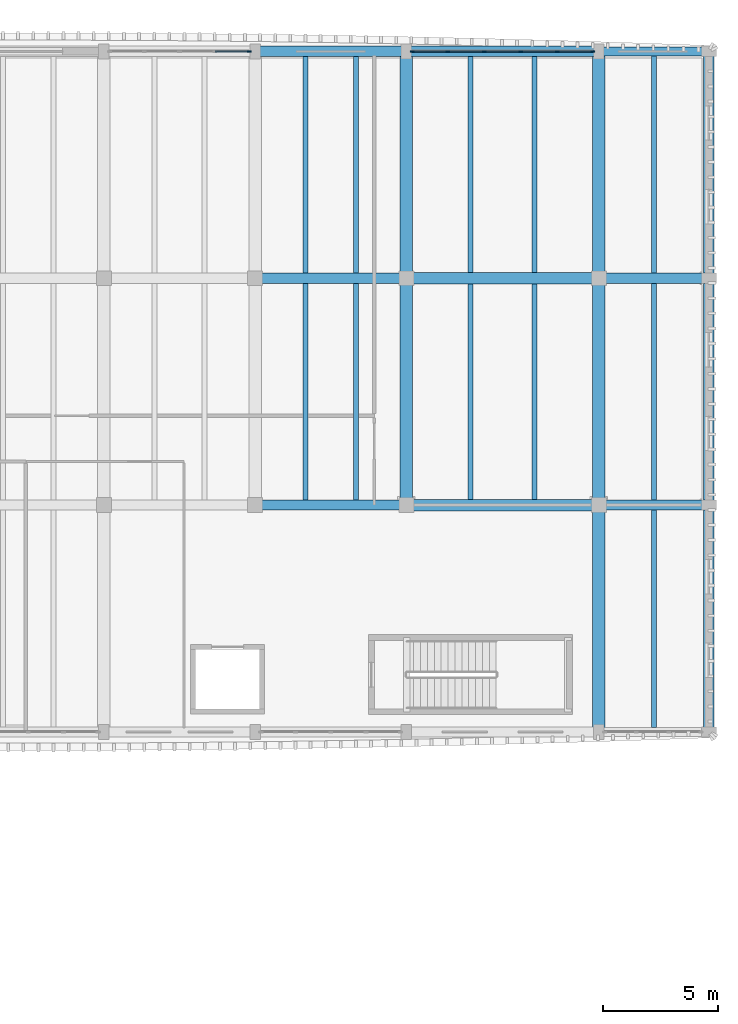
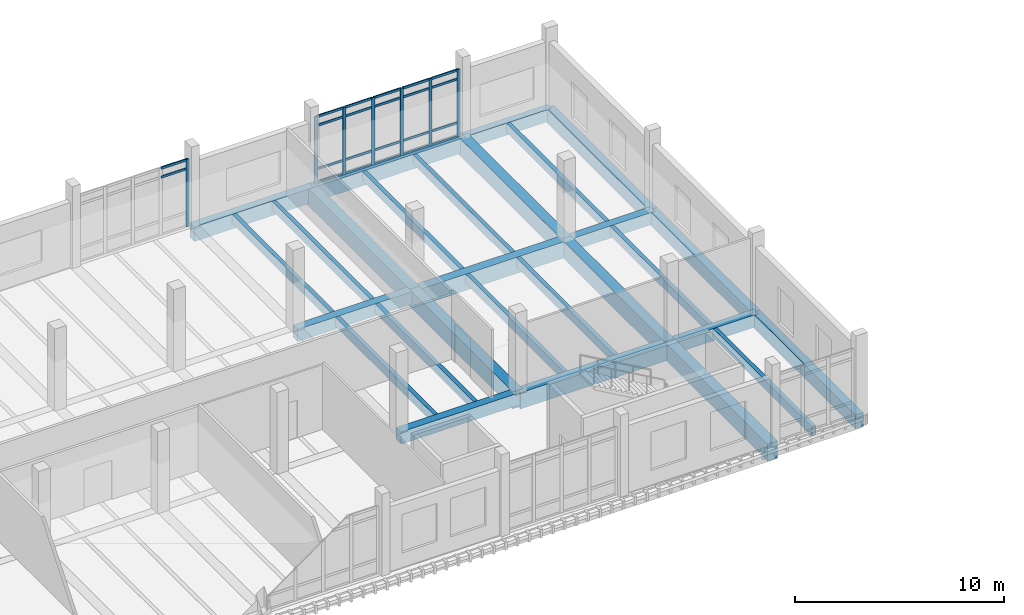
# One storey, part 17 of 50: 29 members, 28 beams, 2 elements without a shape of their own.
"""IFC4 building model written with IfcOpenShell, lengths in metres."""

from ifc_helpers import new_model, si_unit, direction, frame, origin, origin_2d, place, context, subcontext, project, spatial, rectangle, extrude, material, material_profile, profile_set, type_object, element, aggregate, save


model = new_model("IFC4")

# Units and contexts
model_context = context("Model", 3, precision=1e-05, world=origin(), true_north=direction((0.0, 1.0)))
body_context = subcontext(model_context, "Body", "Model", "MODEL_VIEW")
ifc_project = project(units=[si_unit("LENGTHUNIT", "METRE"), si_unit("AREAUNIT", "SQUARE_METRE"), si_unit("VOLUMEUNIT", "CUBIC_METRE"), si_unit("PLANEANGLEUNIT", "RADIAN"), si_unit("MASSUNIT", "GRAM", prefix="KILO")], contexts=[model_context])

# Site, building, storey
site_placement = place(None, origin())
site = spatial("IfcSite", under=ifc_project, at=site_placement, CompositionType="ELEMENT")
building_placement = place(site_placement, origin())
building = spatial("IfcBuilding", under=site, at=building_placement, Name="Dornvale Research Institute", CompositionType="ELEMENT")
storey_placement = place(building_placement, frame((0.0, 0.0, 19.800048828125)))
storey = spatial("IfcBuildingStorey", under=building, at=storey_placement, Name="L04", CompositionType="ELEMENT", Elevation=19.800048828125)

# Beams
ifc_material_1 = material(Name="Concrete f'c 45 MPa (C35/45)", Category="concrete")
ifc_material_profile_1 = material_profile(ifc_material_1, rectangle(XDim=0.449951171875, YDim=0.715087890625, at=origin_2d()), Name="RC 450x715")
ifc_profile_set_1 = profile_set([ifc_material_profile_1], Name="Concrete f'c 45 MPa (C35/45)")
beam_type_1 = type_object("IfcBeamType", Name="Beam_RC450x715_Lab", PredefinedType="BEAM", material=ifc_profile_set_1)
beam_1_placement = place(storey_placement, frame((158.39990234375, 102.300048828125, -0.357666015625), z_axis=(1.0, 0.0, 0.0), x_axis=(0.0, 1.0, 0.0)))
element("IfcBeam", 1, at=beam_1_placement, inside=storey, type_object=beam_type_1, Name="L04 primary girder #1187", PredefinedType="BEAM", context=body_context, shape_type="SweptSolid", body=[
    extrude(rectangle(XDim=0.449951171875, YDim=0.715087890625, at=origin_2d()), origin(), (0.0, 0.0, 1.0), 6.60009765625),
])
beam_2_placement = place(storey_placement, frame((173.39990234375, 102.300048828125, -0.357666015625), z_axis=(1.0, 0.0, 0.0), x_axis=(0.0, 1.0, 0.0)))
element("IfcBeam", 2, at=beam_2_placement, inside=storey, type_object=beam_type_1, Name="L04 primary girder #1189", PredefinedType="BEAM", context=body_context, shape_type="SweptSolid", body=[
    extrude(rectangle(XDim=0.449951171875, YDim=0.715087890625, at=origin_2d()), origin(), (0.0, 0.0, 1.0), 4.800048828125),
])
beam_3_placement = place(storey_placement, frame((158.39990234375, 112.199951171875, -0.357666015625), z_axis=(1.0, 0.0, 0.0), x_axis=(0.0, 1.0, 0.0)))
element("IfcBeam", 3, at=beam_3_placement, inside=storey, type_object=beam_type_1, Name="L04 primary girder #1196", PredefinedType="BEAM", context=body_context, shape_type="SweptSolid", body=[
    extrude(rectangle(XDim=0.449951171875, YDim=0.715087890625, at=origin_2d()), origin(), (0.0, 0.0, 1.0), 6.60009765625),
])
beam_4_placement = place(storey_placement, frame((173.39990234375, 112.199951171875, -0.357666015625), z_axis=(1.0, 0.0, 0.0), x_axis=(0.0, 1.0, 0.0)))
element("IfcBeam", 4, at=beam_4_placement, inside=storey, type_object=beam_type_1, Name="L04 primary girder #1198", PredefinedType="BEAM", context=body_context, shape_type="SweptSolid", body=[
    extrude(rectangle(XDim=0.449951171875, YDim=0.715087890625, at=origin_2d()), origin(), (0.0, 0.0, 1.0), 4.800048828125),
])
ifc_material_2 = material(Name="Concrete f'c 45 MPa (C35/45)", Category="concrete")
ifc_material_profile_2 = material_profile(ifc_material_2, rectangle(XDim=0.5, YDim=0.949951171875, at=origin_2d()), Name="RC 500x950")
ifc_profile_set_2 = profile_set([ifc_material_profile_2], Name="Concrete f'c 45 MPa (C35/45)")
beam_type_2 = type_object("IfcBeamType", Name="Beam_RC500x950_Girder", PredefinedType="BEAM", material=ifc_profile_set_2)
for number, where, z_axis, x_axis, name in (
    (5, (165.0, 102.300048828125, -0.47509765625), (1.0, 0.0, 0.0), (0.0, 1.0, 0.0), "L04 primary girder #1188"),
    (6, (165.0, 112.199951171875, -0.47509765625), (1.0, 0.0, 0.0), (0.0, 1.0, 0.0), "L04 primary girder #1197"),
):
    element("IfcBeam", number, at=place(storey_placement, frame(where, z_axis=z_axis, x_axis=x_axis)), inside=storey, type_object=beam_type_2, Name=name, PredefinedType="BEAM", context=body_context, shape_type="SweptSolid", body=[
        extrude(rectangle(XDim=0.5, YDim=0.949951171875, at=origin_2d()), origin(), (0.0, 0.0, 1.0), 8.39990234375),
    ])
ifc_material_3 = material(Name="Concrete f'c 45 MPa (C35/45)", Category="concrete")
ifc_material_profile_3 = material_profile(ifc_material_3, rectangle(XDim=0.550048828125, YDim=1.0, at=origin_2d()), Name="RC 550x1000")
ifc_profile_set_3 = profile_set([ifc_material_profile_3], Name="Concrete f'c 45 MPa (C35/45)")
beam_type_3 = type_object("IfcBeamType", Name="Beam_RC550x1000_Girder", PredefinedType="BEAM", material=ifc_profile_set_3)
beam_5_placement = place(storey_placement, frame((165.0, 102.300048828125, -0.5), z_axis=(0.0, 1.0, 0.0), x_axis=(-1.0, 0.0, 0.0)))
element("IfcBeam", 7, at=beam_5_placement, inside=storey, type_object=beam_type_3, Name="L04 transverse girder #1227", PredefinedType="BEAM", context=body_context, shape_type="SweptSolid", body=[
    extrude(rectangle(XDim=0.550048828125, YDim=1.0, at=origin_2d()), origin(), (0.0, 0.0, 1.0), 9.89990234375),
])
for number, where, z_axis, x_axis, name in (
    (8, (165.0, 112.199951171875, -0.5), (0.0, 1.0, 0.0), (-1.0, 0.0, 0.0), "L04 transverse girder #1228"),
    (9, (173.39990234375, 92.39990234375, -0.5), (0.0, 1.0, 0.0), (-1.0, 0.0, 0.0), "L04 transverse girder #1229"),
):
    element("IfcBeam", number, at=place(storey_placement, frame(where, z_axis=z_axis, x_axis=x_axis)), inside=storey, type_object=beam_type_3, Name=name, PredefinedType="BEAM", context=body_context, shape_type="SweptSolid", body=[
        extrude(rectangle(XDim=0.550048828125, YDim=1.0, at=origin_2d()), origin(), (0.0, 0.0, 1.0), 9.900146484375),
    ])
beam_6_placement = place(storey_placement, frame((173.39990234375, 102.300048828125, -0.5), z_axis=(0.0, 1.0, 0.0), x_axis=(-1.0, 0.0, 0.0)))
element("IfcBeam", 10, at=beam_6_placement, inside=storey, type_object=beam_type_3, Name="L04 transverse girder #1230", PredefinedType="BEAM", context=body_context, shape_type="SweptSolid", body=[
    extrude(rectangle(XDim=0.550048828125, YDim=1.0, at=origin_2d()), origin(), (0.0, 0.0, 1.0), 9.89990234375),
])
beam_7_placement = place(storey_placement, frame((173.39990234375, 112.199951171875, -0.5), z_axis=(0.0, 1.0, 0.0), x_axis=(-1.0, 0.0, 0.0)))
element("IfcBeam", 11, at=beam_7_placement, inside=storey, type_object=beam_type_3, Name="L04 transverse girder #1231", PredefinedType="BEAM", context=body_context, shape_type="SweptSolid", body=[
    extrude(rectangle(XDim=0.550048828125, YDim=1.0, at=origin_2d()), origin(), (0.0, 0.0, 1.0), 9.900146484375),
])
ifc_material_4 = material(Name="Concrete f'c 45 MPa (C35/45)", Category="concrete")
ifc_material_profile_4 = material_profile(ifc_material_4, rectangle(XDim=0.219970703125, YDim=0.534912109375, at=origin_2d()), Name="RC 220x535")
ifc_profile_set_4 = profile_set([ifc_material_profile_4], Name="Concrete f'c 45 MPa (C35/45)")
beam_type_4 = type_object("IfcBeamType", Name="Joist_RC220x535_Waffle", PredefinedType="JOIST", material=ifc_profile_set_4)
for number, where, z_axis, x_axis, name in (
    (12, (160.60009765625, 102.52490234375, -0.267578125), (0.0, 1.0, 0.0), (-1.0, 0.0, 0.0), "L04 laboratory waffle joist #614"),
    (13, (162.800048828125, 102.52490234375, -0.267578125), (0.0, 1.0, 0.0), (-1.0, 0.0, 0.0), "L04 laboratory waffle joist #615"),
):
    element("IfcBeam", number, at=place(storey_placement, frame(where, z_axis=z_axis, x_axis=x_axis)), inside=storey, type_object=beam_type_4, Name=name, PredefinedType="JOIST", context=body_context, shape_type="SweptSolid", body=[
        extrude(rectangle(XDim=0.219970703125, YDim=0.534912109375, at=origin_2d()), origin(), (0.0, 0.0, 1.0), 9.4501953125),
    ])
for number, where, z_axis, x_axis, name in (
    (14, (160.60009765625, 112.425048828125, -0.267578125), (0.0, 1.0, 0.0), (-1.0, 0.0, 0.0), "L04 laboratory waffle joist #616"),
    (15, (162.800048828125, 112.425048828125, -0.267578125), (0.0, 1.0, 0.0), (-1.0, 0.0, 0.0), "L04 laboratory waffle joist #617"),
):
    element("IfcBeam", number, at=place(storey_placement, frame(where, z_axis=z_axis, x_axis=x_axis)), inside=storey, type_object=beam_type_4, Name=name, PredefinedType="JOIST", context=body_context, shape_type="SweptSolid", body=[
        extrude(rectangle(XDim=0.219970703125, YDim=0.534912109375, at=origin_2d()), origin(), (0.0, 0.0, 1.0), 9.449951171875),
    ])
for number, where, z_axis, x_axis, name in (
    (16, (167.800048828125, 102.550048828125, -0.267578125), (0.0, 1.0, 0.0), (-1.0, 0.0, 0.0), "L04 laboratory waffle joist #618"),
    (17, (170.60009765625, 102.550048828125, -0.267578125), (0.0, 1.0, 0.0), (-1.0, 0.0, 0.0), "L04 laboratory waffle joist #619"),
):
    element("IfcBeam", number, at=place(storey_placement, frame(where, z_axis=z_axis, x_axis=x_axis)), inside=storey, type_object=beam_type_4, Name=name, PredefinedType="JOIST", context=body_context, shape_type="SweptSolid", body=[
        extrude(rectangle(XDim=0.219970703125, YDim=0.534912109375, at=origin_2d()), origin(), (0.0, 0.0, 1.0), 9.39990234375),
    ])
for number, where, z_axis, x_axis, name in (
    (18, (167.800048828125, 112.449951171875, -0.267578125), (0.0, 1.0, 0.0), (-1.0, 0.0, 0.0), "L04 laboratory waffle joist #620"),
    (19, (170.60009765625, 112.449951171875, -0.267578125), (0.0, 1.0, 0.0), (-1.0, 0.0, 0.0), "L04 laboratory waffle joist #621"),
):
    element("IfcBeam", number, at=place(storey_placement, frame(where, z_axis=z_axis, x_axis=x_axis)), inside=storey, type_object=beam_type_4, Name=name, PredefinedType="JOIST", context=body_context, shape_type="SweptSolid", body=[
        extrude(rectangle(XDim=0.219970703125, YDim=0.534912109375, at=origin_2d()), origin(), (0.0, 0.0, 1.0), 9.425048828125),
    ])
beam_8_placement = place(storey_placement, frame((175.800048828125, 92.60009765625, -0.267578125), z_axis=(0.0, 1.0, 0.0), x_axis=(-1.0, 0.0, 0.0)))
element("IfcBeam", 20, at=beam_8_placement, inside=storey, type_object=beam_type_4, Name="L04 laboratory waffle joist #622", PredefinedType="JOIST", context=body_context, shape_type="SweptSolid", body=[
    extrude(rectangle(XDim=0.219970703125, YDim=0.534912109375, at=origin_2d()), origin(), (0.0, 0.0, 1.0), 9.474853515625),
])
beam_9_placement = place(storey_placement, frame((175.800048828125, 102.52490234375, -0.267578125), z_axis=(0.0, 1.0, 0.0), x_axis=(-1.0, 0.0, 0.0)))
element("IfcBeam", 21, at=beam_9_placement, inside=storey, type_object=beam_type_4, Name="L04 laboratory waffle joist #623", PredefinedType="JOIST", context=body_context, shape_type="SweptSolid", body=[
    extrude(rectangle(XDim=0.219970703125, YDim=0.534912109375, at=origin_2d()), origin(), (0.0, 0.0, 1.0), 9.4501953125),
])
beam_10_placement = place(storey_placement, frame((175.800048828125, 112.425048828125, -0.267578125), z_axis=(0.0, 1.0, 0.0), x_axis=(-1.0, 0.0, 0.0)))
element("IfcBeam", 22, at=beam_10_placement, inside=storey, type_object=beam_type_4, Name="L04 laboratory waffle joist #624", PredefinedType="JOIST", context=body_context, shape_type="SweptSolid", body=[
    extrude(rectangle(XDim=0.219970703125, YDim=0.534912109375, at=origin_2d()), origin(), (0.0, 0.0, 1.0), 9.474853515625),
])

# Curtain wall, member
ifc_material_5 = material(Name="Low-E Argon Double Insulating Glazing Unit", Category="glass")
curtain_wall_type_1 = type_object("IfcCurtainWallType", Name="UnitisedCurtainWall_V4_6150x3950", PredefinedType="USERDEFINED", material=ifc_material_5)
curtain_wall_1_placement = place(storey_placement, origin())
curtain_wall_1 = element("IfcCurtainWall", 23, at=curtain_wall_1_placement, inside=storey, type_object=curtain_wall_type_1, Name="L04 V4 unitised curtain wall CW-15 #102", ObjectType="UNITISED CURTAIN WALL", PredefinedType="USERDEFINED")
ifc_material_6 = material(Name="Anodized Aluminum AA 6063-T6 Thermally Broken Frame", Category="aluminium")
ifc_material_profile_5 = material_profile(ifc_material_6, rectangle(XDim=0.06494140625, YDim=0.179931640625, at=origin_2d()), Name="ALU MULLION 65x180")
ifc_profile_set_5 = profile_set([ifc_material_profile_5], Name="Anodized Aluminum AA 6063-T6 Thermally Broken Frame")
member_type_1 = type_object("IfcMemberType", Name="Mullion_CW_65x180", PredefinedType="MULLION", material=ifc_profile_set_5)
member_1_placement = place(storey_placement, frame((158.142578125, 122.10009765625, 0.0), z_axis=(0.0, 0.0, 1.0), x_axis=(0.0, 1.0, 0.0)))
member_1 = element("IfcMember", 24, at=member_1_placement, type_object=member_type_1, Name="CW-15 mullion 5", PredefinedType="MULLION", context=body_context, shape_type="SweptSolid", body=[
    extrude(rectangle(XDim=0.06494140625, YDim=0.179931640625, at=origin_2d()), origin(), (0.0, 0.0, 1.0), 3.949951171875),
])

# Curtain wall, members
ifc_material_7 = material(Name="Low-E Argon Double Insulating Glazing Unit", Category="glass")
curtain_wall_type_2 = type_object("IfcCurtainWallType", Name="UnitisedCurtainWall_V4_7950x3950", PredefinedType="USERDEFINED", material=ifc_material_7)
curtain_wall_2_placement = place(storey_placement, origin())
curtain_wall_2 = element("IfcCurtainWall", 25, at=curtain_wall_2_placement, inside=storey, type_object=curtain_wall_type_2, Name="L04 V4 unitised curtain wall CW-16 #103", ObjectType="UNITISED CURTAIN WALL", PredefinedType="USERDEFINED")
member_2_placement = place(storey_placement, frame((165.257568359375, 122.10009765625, 0.0), z_axis=(0.0, 0.0, 1.0), x_axis=(0.0, 1.0, 0.0)))
member_2 = element("IfcMember", 26, at=member_2_placement, type_object=member_type_1, Name="CW-16 mullion 1", PredefinedType="MULLION", context=body_context, shape_type="SweptSolid", body=[
    extrude(rectangle(XDim=0.06494140625, YDim=0.179931640625, at=origin_2d()), origin(), (0.0, 0.0, 1.0), 3.949951171875),
])
member_3_placement = place(storey_placement, frame((166.81494140625, 122.10009765625, 0.0), z_axis=(0.0, 0.0, 1.0), x_axis=(0.0, 1.0, 0.0)))
member_3 = element("IfcMember", 27, at=member_3_placement, type_object=member_type_1, Name="CW-16 mullion 2", PredefinedType="MULLION", context=body_context, shape_type="SweptSolid", body=[
    extrude(rectangle(XDim=0.06494140625, YDim=0.179931640625, at=origin_2d()), origin(), (0.0, 0.0, 1.0), 3.949951171875),
])
member_4_placement = place(storey_placement, frame((168.405029296875, 122.10009765625, 0.0), z_axis=(0.0, 0.0, 1.0), x_axis=(0.0, 1.0, 0.0)))
member_4 = element("IfcMember", 28, at=member_4_placement, type_object=member_type_1, Name="CW-16 mullion 3", PredefinedType="MULLION", context=body_context, shape_type="SweptSolid", body=[
    extrude(rectangle(XDim=0.06494140625, YDim=0.179931640625, at=origin_2d()), origin(), (0.0, 0.0, 1.0), 3.949951171875),
])
member_5_placement = place(storey_placement, frame((169.9951171875, 122.10009765625, 0.0), z_axis=(0.0, 0.0, 1.0), x_axis=(0.0, 1.0, 0.0)))
member_5 = element("IfcMember", 29, at=member_5_placement, type_object=member_type_1, Name="CW-16 mullion 4", PredefinedType="MULLION", context=body_context, shape_type="SweptSolid", body=[
    extrude(rectangle(XDim=0.06494140625, YDim=0.179931640625, at=origin_2d()), origin(), (0.0, 0.0, 1.0), 3.949951171875),
])
member_6_placement = place(storey_placement, frame((171.5849609375, 122.10009765625, 0.0), z_axis=(0.0, 0.0, 1.0), x_axis=(0.0, 1.0, 0.0)))
member_6 = element("IfcMember", 30, at=member_6_placement, type_object=member_type_1, Name="CW-16 mullion 5", PredefinedType="MULLION", context=body_context, shape_type="SweptSolid", body=[
    extrude(rectangle(XDim=0.06494140625, YDim=0.179931640625, at=origin_2d()), origin(), (0.0, 0.0, 1.0), 3.949951171875),
])
member_7_placement = place(storey_placement, frame((173.142578125, 122.10009765625, 0.0), z_axis=(0.0, 0.0, 1.0), x_axis=(0.0, 1.0, 0.0)))
member_7 = element("IfcMember", 31, at=member_7_placement, type_object=member_type_1, Name="CW-16 mullion 6", PredefinedType="MULLION", context=body_context, shape_type="SweptSolid", body=[
    extrude(rectangle(XDim=0.06494140625, YDim=0.179931640625, at=origin_2d()), origin(), (0.0, 0.0, 1.0), 3.949951171875),
])

# Beams
ifc_material_8 = material(Name="Concrete f'c 45 MPa (C35/45)", Category="concrete")
ifc_material_profile_6 = material_profile(ifc_material_8, rectangle(XDim=0.39990234375, YDim=0.699951171875, at=origin_2d()), Name="RC 400x700")
ifc_profile_set_6 = profile_set([ifc_material_profile_6], Name="Concrete f'c 45 MPa (C35/45)")
beam_type_5 = type_object("IfcBeamType", Name="Spandrel_RC400x700_Ext", PredefinedType="SPANDREL", material=ifc_profile_set_6)
beam_11_placement = place(storey_placement, frame((173.39990234375, 122.10009765625, -0.35009765625), z_axis=(1.0, 0.0, 0.0), x_axis=(0.0, 1.0, 0.0)))
element("IfcBeam", 32, at=beam_11_placement, inside=storey, type_object=beam_type_5, Name="L04 perimeter spandrel #1207", PredefinedType="SPANDREL", context=body_context, shape_type="SweptSolid", body=[
    extrude(rectangle(XDim=0.39990234375, YDim=0.699951171875, at=origin_2d()), origin(), (0.0, 0.0, 1.0), 4.800048828125),
])
ifc_material_9 = material(Name="Concrete f'c 45 MPa (C35/45)", Category="concrete")
ifc_material_profile_7 = material_profile(ifc_material_9, rectangle(XDim=0.449951171875, YDim=0.800048828125, at=origin_2d()), Name="RC 450x800")
ifc_profile_set_7 = profile_set([ifc_material_profile_7], Name="Concrete f'c 45 MPa (C35/45)")
beam_type_6 = type_object("IfcBeamType", Name="Spandrel_RC450x800_Ext", PredefinedType="SPANDREL", material=ifc_profile_set_7)
beam_12_placement = place(storey_placement, frame((178.199951171875, 92.39990234375, -0.400146484375), z_axis=(0.0, 1.0, 0.0), x_axis=(-1.0, 0.0, 0.0)))
element("IfcBeam", 33, at=beam_12_placement, inside=storey, type_object=beam_type_6, Name="L04 perimeter spandrel #1232", PredefinedType="SPANDREL", context=body_context, shape_type="SweptSolid", body=[
    extrude(rectangle(XDim=0.449951171875, YDim=0.800048828125, at=origin_2d()), origin(), (0.0, 0.0, 1.0), 9.900146484375),
])
beam_13_placement = place(storey_placement, frame((178.199951171875, 102.300048828125, -0.400146484375), z_axis=(0.0, 1.0, 0.0), x_axis=(-1.0, 0.0, 0.0)))
element("IfcBeam", 34, at=beam_13_placement, inside=storey, type_object=beam_type_6, Name="L04 perimeter spandrel #1233", PredefinedType="SPANDREL", context=body_context, shape_type="SweptSolid", body=[
    extrude(rectangle(XDim=0.449951171875, YDim=0.800048828125, at=origin_2d()), origin(), (0.0, 0.0, 1.0), 9.89990234375),
])
beam_14_placement = place(storey_placement, frame((178.199951171875, 112.199951171875, -0.400146484375), z_axis=(0.0, 1.0, 0.0), x_axis=(-1.0, 0.0, 0.0)))
element("IfcBeam", 35, at=beam_14_placement, inside=storey, type_object=beam_type_6, Name="L04 perimeter spandrel #1234", PredefinedType="SPANDREL", context=body_context, shape_type="SweptSolid", body=[
    extrude(rectangle(XDim=0.449951171875, YDim=0.800048828125, at=origin_2d()), origin(), (0.0, 0.0, 1.0), 9.900146484375),
])
ifc_material_10 = material(Name="Concrete f'c 45 MPa (C35/45)", Category="concrete")
ifc_material_profile_8 = material_profile(ifc_material_10, rectangle(XDim=0.449951171875, YDim=0.85009765625, at=origin_2d()), Name="RC 450x850")
ifc_profile_set_8 = profile_set([ifc_material_profile_8], Name="Concrete f'c 45 MPa (C35/45)")
beam_type_7 = type_object("IfcBeamType", Name="Spandrel_RC450x850_Ext", PredefinedType="SPANDREL", material=ifc_profile_set_8)
beam_15_placement = place(storey_placement, frame((158.39990234375, 122.10009765625, -0.425048828125), z_axis=(1.0, 0.0, 0.0), x_axis=(0.0, 1.0, 0.0)))
element("IfcBeam", 36, at=beam_15_placement, inside=storey, type_object=beam_type_7, Name="L04 perimeter spandrel #1205", PredefinedType="SPANDREL", context=body_context, shape_type="SweptSolid", body=[
    extrude(rectangle(XDim=0.449951171875, YDim=0.85009765625, at=origin_2d()), origin(), (0.0, 0.0, 1.0), 6.60009765625),
])
beam_16_placement = place(storey_placement, frame((165.0, 122.10009765625, -0.425048828125), z_axis=(1.0, 0.0, 0.0), x_axis=(0.0, 1.0, 0.0)))
element("IfcBeam", 37, at=beam_16_placement, inside=storey, type_object=beam_type_7, Name="L04 perimeter spandrel #1206", PredefinedType="SPANDREL", context=body_context, shape_type="SweptSolid", body=[
    extrude(rectangle(XDim=0.449951171875, YDim=0.85009765625, at=origin_2d()), origin(), (0.0, 0.0, 1.0), 8.39990234375),
])

# Member
ifc_material_11 = material(Name="Anodized Aluminum AA 6063-T6 Thermally Broken Frame", Category="aluminium")
ifc_material_profile_9 = material_profile(ifc_material_11, rectangle(XDim=0.06494140625, YDim=0.135009765625, at=origin_2d()), Name="ALU TRANSOM 65x135")
ifc_profile_set_9 = profile_set([ifc_material_profile_9], Name="Anodized Aluminum AA 6063-T6 Thermally Broken Frame")
member_type_2 = type_object("IfcMemberType", Name="Transom_CW_65x135", PredefinedType="USERDEFINED", material=ifc_profile_set_9)
member_8_placement = place(storey_placement, frame((156.669921875, 122.10009765625, 3.39990234375), z_axis=(1.0, 0.0, 0.0), x_axis=(0.0, 1.0, 0.0)))
member_8 = element("IfcMember", 38, at=member_8_placement, type_object=member_type_2, Name="CW-15 transom 4.3", ObjectType="TRANSOM", PredefinedType="USERDEFINED", context=body_context, shape_type="SweptSolid", body=[
    extrude(rectangle(XDim=0.06494140625, YDim=0.135009765625, at=origin_2d()), origin(), (0.0, 0.0, 1.0), 1.440185546875),
])

member_9_placement = place(storey_placement, frame((156.669921875, 122.10009765625, 3.91748046875), z_axis=(1.0, 0.0, 0.0), x_axis=(0.0, 1.0, 0.0)))
member_9 = element("IfcMember", 39, at=member_9_placement, type_object=member_type_2, Name="CW-15 transom 4.4", ObjectType="TRANSOM", PredefinedType="USERDEFINED", context=body_context, shape_type="SweptSolid", body=[
    extrude(rectangle(XDim=0.06494140625, YDim=0.135009765625, at=origin_2d()), origin(), (0.0, 0.0, 1.0), 1.440185546875),
])

aggregate(curtain_wall_1, [member_1, member_8, member_9])

member_10_placement = place(storey_placement, frame((165.2900390625, 122.10009765625, 0.032470703125), z_axis=(1.0, 0.0, 0.0), x_axis=(0.0, 1.0, 0.0)))
member_10 = element("IfcMember", 40, at=member_10_placement, type_object=member_type_2, Name="CW-16 transom 1.1", ObjectType="TRANSOM", PredefinedType="USERDEFINED", context=body_context, shape_type="SweptSolid", body=[
    extrude(rectangle(XDim=0.06494140625, YDim=0.135009765625, at=origin_2d()), origin(), (0.0, 0.0, 1.0), 1.492431640625),
])

member_11_placement = place(storey_placement, frame((165.2900390625, 122.10009765625, 0.849853515625), z_axis=(1.0, 0.0, 0.0), x_axis=(0.0, 1.0, 0.0)))
member_11 = element("IfcMember", 41, at=member_11_placement, type_object=member_type_2, Name="CW-16 transom 1.2", ObjectType="TRANSOM", PredefinedType="USERDEFINED", context=body_context, shape_type="SweptSolid", body=[
    extrude(rectangle(XDim=0.06494140625, YDim=0.135009765625, at=origin_2d()), origin(), (0.0, 0.0, 1.0), 1.492431640625),
])

member_12_placement = place(storey_placement, frame((165.2900390625, 122.10009765625, 3.39990234375), z_axis=(1.0, 0.0, 0.0), x_axis=(0.0, 1.0, 0.0)))
member_12 = element("IfcMember", 42, at=member_12_placement, type_object=member_type_2, Name="CW-16 transom 1.3", ObjectType="TRANSOM", PredefinedType="USERDEFINED", context=body_context, shape_type="SweptSolid", body=[
    extrude(rectangle(XDim=0.06494140625, YDim=0.135009765625, at=origin_2d()), origin(), (0.0, 0.0, 1.0), 1.492431640625),
])

member_13_placement = place(storey_placement, frame((165.2900390625, 122.10009765625, 3.91748046875), z_axis=(1.0, 0.0, 0.0), x_axis=(0.0, 1.0, 0.0)))
member_13 = element("IfcMember", 43, at=member_13_placement, type_object=member_type_2, Name="CW-16 transom 1.4", ObjectType="TRANSOM", PredefinedType="USERDEFINED", context=body_context, shape_type="SweptSolid", body=[
    extrude(rectangle(XDim=0.06494140625, YDim=0.135009765625, at=origin_2d()), origin(), (0.0, 0.0, 1.0), 1.492431640625),
])

member_14_placement = place(storey_placement, frame((166.847412109375, 122.10009765625, 0.032470703125), z_axis=(1.0, 0.0, 0.0), x_axis=(0.0, 1.0, 0.0)))
member_14 = element("IfcMember", 44, at=member_14_placement, type_object=member_type_2, Name="CW-16 transom 2.1", ObjectType="TRANSOM", PredefinedType="USERDEFINED", context=body_context, shape_type="SweptSolid", body=[
    extrude(rectangle(XDim=0.06494140625, YDim=0.135009765625, at=origin_2d()), origin(), (0.0, 0.0, 1.0), 1.525146484375),
])

member_15_placement = place(storey_placement, frame((166.847412109375, 122.10009765625, 0.849853515625), z_axis=(1.0, 0.0, 0.0), x_axis=(0.0, 1.0, 0.0)))
member_15 = element("IfcMember", 45, at=member_15_placement, type_object=member_type_2, Name="CW-16 transom 2.2", ObjectType="TRANSOM", PredefinedType="USERDEFINED", context=body_context, shape_type="SweptSolid", body=[
    extrude(rectangle(XDim=0.06494140625, YDim=0.135009765625, at=origin_2d()), origin(), (0.0, 0.0, 1.0), 1.525146484375),
])

member_16_placement = place(storey_placement, frame((166.847412109375, 122.10009765625, 3.39990234375), z_axis=(1.0, 0.0, 0.0), x_axis=(0.0, 1.0, 0.0)))
member_16 = element("IfcMember", 46, at=member_16_placement, type_object=member_type_2, Name="CW-16 transom 2.3", ObjectType="TRANSOM", PredefinedType="USERDEFINED", context=body_context, shape_type="SweptSolid", body=[
    extrude(rectangle(XDim=0.06494140625, YDim=0.135009765625, at=origin_2d()), origin(), (0.0, 0.0, 1.0), 1.525146484375),
])

member_17_placement = place(storey_placement, frame((166.847412109375, 122.10009765625, 3.91748046875), z_axis=(1.0, 0.0, 0.0), x_axis=(0.0, 1.0, 0.0)))
member_17 = element("IfcMember", 47, at=member_17_placement, type_object=member_type_2, Name="CW-16 transom 2.4", ObjectType="TRANSOM", PredefinedType="USERDEFINED", context=body_context, shape_type="SweptSolid", body=[
    extrude(rectangle(XDim=0.06494140625, YDim=0.135009765625, at=origin_2d()), origin(), (0.0, 0.0, 1.0), 1.525146484375),
])

member_18_placement = place(storey_placement, frame((168.4375, 122.10009765625, 0.032470703125), z_axis=(1.0, 0.0, 0.0), x_axis=(0.0, 1.0, 0.0)))
member_18 = element("IfcMember", 48, at=member_18_placement, type_object=member_type_2, Name="CW-16 transom 3.1", ObjectType="TRANSOM", PredefinedType="USERDEFINED", context=body_context, shape_type="SweptSolid", body=[
    extrude(rectangle(XDim=0.06494140625, YDim=0.135009765625, at=origin_2d()), origin(), (0.0, 0.0, 1.0), 1.52490234375),
])

member_19_placement = place(storey_placement, frame((168.4375, 122.10009765625, 0.849853515625), z_axis=(1.0, 0.0, 0.0), x_axis=(0.0, 1.0, 0.0)))
member_19 = element("IfcMember", 49, at=member_19_placement, type_object=member_type_2, Name="CW-16 transom 3.2", ObjectType="TRANSOM", PredefinedType="USERDEFINED", context=body_context, shape_type="SweptSolid", body=[
    extrude(rectangle(XDim=0.06494140625, YDim=0.135009765625, at=origin_2d()), origin(), (0.0, 0.0, 1.0), 1.52490234375),
])

member_20_placement = place(storey_placement, frame((168.4375, 122.10009765625, 3.39990234375), z_axis=(1.0, 0.0, 0.0), x_axis=(0.0, 1.0, 0.0)))
member_20 = element("IfcMember", 50, at=member_20_placement, type_object=member_type_2, Name="CW-16 transom 3.3", ObjectType="TRANSOM", PredefinedType="USERDEFINED", context=body_context, shape_type="SweptSolid", body=[
    extrude(rectangle(XDim=0.06494140625, YDim=0.135009765625, at=origin_2d()), origin(), (0.0, 0.0, 1.0), 1.52490234375),
])

member_21_placement = place(storey_placement, frame((168.4375, 122.10009765625, 3.91748046875), z_axis=(1.0, 0.0, 0.0), x_axis=(0.0, 1.0, 0.0)))
member_21 = element("IfcMember", 51, at=member_21_placement, type_object=member_type_2, Name="CW-16 transom 3.4", ObjectType="TRANSOM", PredefinedType="USERDEFINED", context=body_context, shape_type="SweptSolid", body=[
    extrude(rectangle(XDim=0.06494140625, YDim=0.135009765625, at=origin_2d()), origin(), (0.0, 0.0, 1.0), 1.52490234375),
])

member_22_placement = place(storey_placement, frame((170.027587890625, 122.10009765625, 0.032470703125), z_axis=(1.0, 0.0, 0.0), x_axis=(0.0, 1.0, 0.0)))
member_22 = element("IfcMember", 52, at=member_22_placement, type_object=member_type_2, Name="CW-16 transom 4.1", ObjectType="TRANSOM", PredefinedType="USERDEFINED", context=body_context, shape_type="SweptSolid", body=[
    extrude(rectangle(XDim=0.06494140625, YDim=0.135009765625, at=origin_2d()), origin(), (0.0, 0.0, 1.0), 1.52490234375),
])

member_23_placement = place(storey_placement, frame((170.027587890625, 122.10009765625, 0.849853515625), z_axis=(1.0, 0.0, 0.0), x_axis=(0.0, 1.0, 0.0)))
member_23 = element("IfcMember", 53, at=member_23_placement, type_object=member_type_2, Name="CW-16 transom 4.2", ObjectType="TRANSOM", PredefinedType="USERDEFINED", context=body_context, shape_type="SweptSolid", body=[
    extrude(rectangle(XDim=0.06494140625, YDim=0.135009765625, at=origin_2d()), origin(), (0.0, 0.0, 1.0), 1.52490234375),
])

member_24_placement = place(storey_placement, frame((170.027587890625, 122.10009765625, 3.39990234375), z_axis=(1.0, 0.0, 0.0), x_axis=(0.0, 1.0, 0.0)))
member_24 = element("IfcMember", 54, at=member_24_placement, type_object=member_type_2, Name="CW-16 transom 4.3", ObjectType="TRANSOM", PredefinedType="USERDEFINED", context=body_context, shape_type="SweptSolid", body=[
    extrude(rectangle(XDim=0.06494140625, YDim=0.135009765625, at=origin_2d()), origin(), (0.0, 0.0, 1.0), 1.52490234375),
])

member_25_placement = place(storey_placement, frame((170.027587890625, 122.10009765625, 3.91748046875), z_axis=(1.0, 0.0, 0.0), x_axis=(0.0, 1.0, 0.0)))
member_25 = element("IfcMember", 55, at=member_25_placement, type_object=member_type_2, Name="CW-16 transom 4.4", ObjectType="TRANSOM", PredefinedType="USERDEFINED", context=body_context, shape_type="SweptSolid", body=[
    extrude(rectangle(XDim=0.06494140625, YDim=0.135009765625, at=origin_2d()), origin(), (0.0, 0.0, 1.0), 1.52490234375),
])

member_26_placement = place(storey_placement, frame((171.617431640625, 122.10009765625, 0.032470703125), z_axis=(1.0, 0.0, 0.0), x_axis=(0.0, 1.0, 0.0)))
member_26 = element("IfcMember", 56, at=member_26_placement, type_object=member_type_2, Name="CW-16 transom 5.1", ObjectType="TRANSOM", PredefinedType="USERDEFINED", context=body_context, shape_type="SweptSolid", body=[
    extrude(rectangle(XDim=0.06494140625, YDim=0.135009765625, at=origin_2d()), origin(), (0.0, 0.0, 1.0), 1.49267578125),
])

member_27_placement = place(storey_placement, frame((171.617431640625, 122.10009765625, 0.849853515625), z_axis=(1.0, 0.0, 0.0), x_axis=(0.0, 1.0, 0.0)))
member_27 = element("IfcMember", 57, at=member_27_placement, type_object=member_type_2, Name="CW-16 transom 5.2", ObjectType="TRANSOM", PredefinedType="USERDEFINED", context=body_context, shape_type="SweptSolid", body=[
    extrude(rectangle(XDim=0.06494140625, YDim=0.135009765625, at=origin_2d()), origin(), (0.0, 0.0, 1.0), 1.49267578125),
])

member_28_placement = place(storey_placement, frame((171.617431640625, 122.10009765625, 3.39990234375), z_axis=(1.0, 0.0, 0.0), x_axis=(0.0, 1.0, 0.0)))
member_28 = element("IfcMember", 58, at=member_28_placement, type_object=member_type_2, Name="CW-16 transom 5.3", ObjectType="TRANSOM", PredefinedType="USERDEFINED", context=body_context, shape_type="SweptSolid", body=[
    extrude(rectangle(XDim=0.06494140625, YDim=0.135009765625, at=origin_2d()), origin(), (0.0, 0.0, 1.0), 1.49267578125),
])

member_29_placement = place(storey_placement, frame((171.617431640625, 122.10009765625, 3.91748046875), z_axis=(1.0, 0.0, 0.0), x_axis=(0.0, 1.0, 0.0)))
member_29 = element("IfcMember", 59, at=member_29_placement, type_object=member_type_2, Name="CW-16 transom 5.4", ObjectType="TRANSOM", PredefinedType="USERDEFINED", context=body_context, shape_type="SweptSolid", body=[
    extrude(rectangle(XDim=0.06494140625, YDim=0.135009765625, at=origin_2d()), origin(), (0.0, 0.0, 1.0), 1.49267578125),
])

aggregate(curtain_wall_2, [member_2, member_3, member_4, member_5, member_6, member_7, member_10, member_11, member_12, member_13, member_14, member_15, member_16, member_17, member_18, member_19, member_20, member_21, member_22, member_23, member_24, member_25, member_26, member_27, member_28, member_29])

save(model, "model.ifc")
